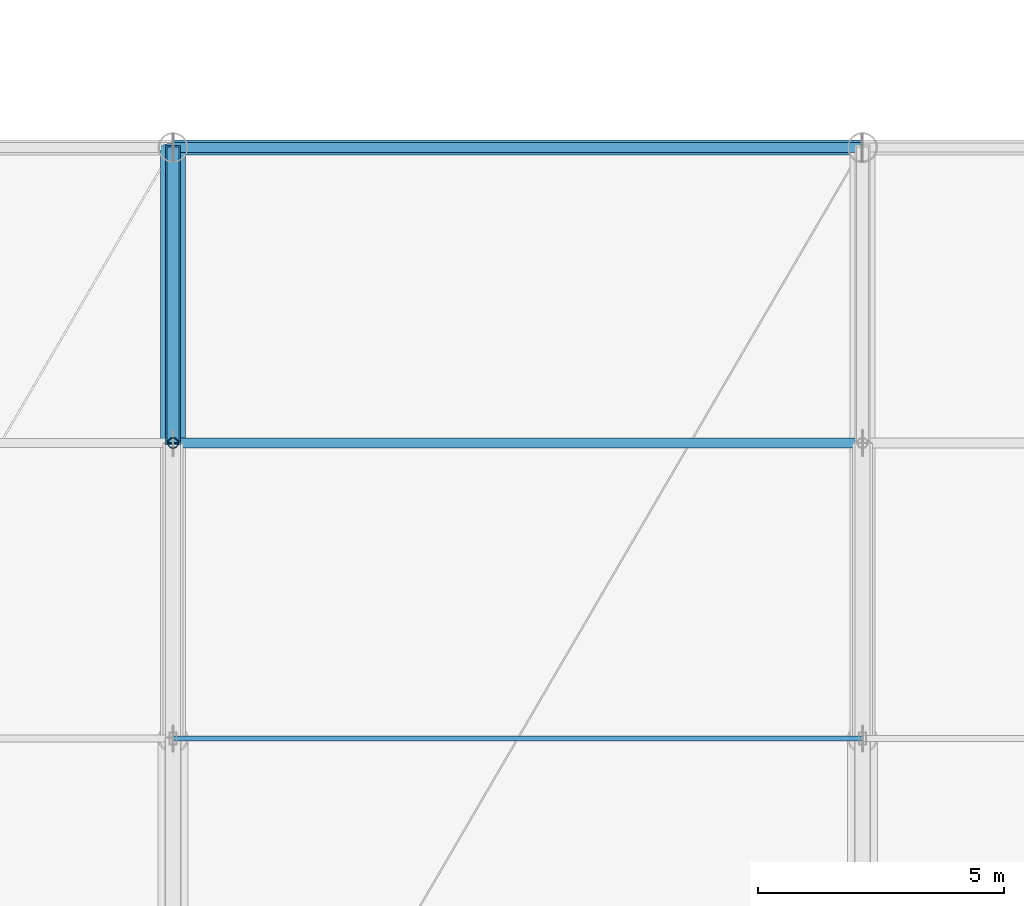
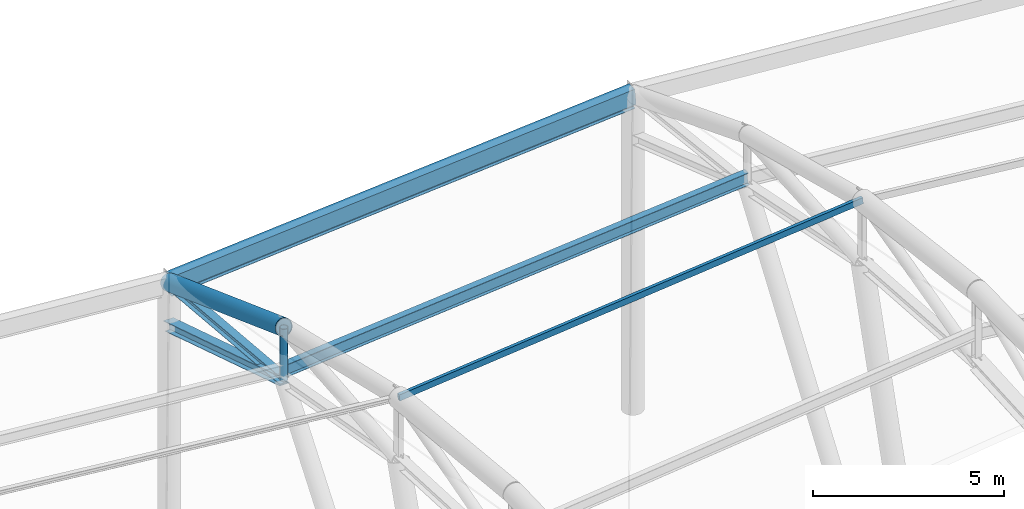
# One storey, part 20 of 90: 7 members, 1 beam.
"""IFC4 building model written with IfcOpenShell, lengths in metres."""

from ifc_helpers import new_model, si_unit, direction, frame, origin, origin_2d, place, context, subcontext, project, spatial, hollow_rectangle, hollow_circle, i_section, extrude, material, material_profile, profile_set, type_object, element, save


model = new_model("IFC4")

# Units and contexts
model_context = context("Model", 3, precision=1e-05, world=origin(), true_north=direction((0.0, 1.0)))
body_context = subcontext(model_context, "Body", "Model", "MODEL_VIEW")
ifc_project = project(units=[si_unit("LENGTHUNIT", "METRE"), si_unit("AREAUNIT", "SQUARE_METRE"), si_unit("VOLUMEUNIT", "CUBIC_METRE"), si_unit("PLANEANGLEUNIT", "RADIAN"), si_unit("MASSUNIT", "GRAM", prefix="KILO")], contexts=[model_context])

# Site, building, storey
site_placement = place(None, origin())
site = spatial("IfcSite", under=ifc_project, at=site_placement, CompositionType="ELEMENT")
building_placement = place(site_placement, origin())
building = spatial("IfcBuilding", under=site, at=building_placement, Name="Linyun Crest Stadium", CompositionType="ELEMENT")
storey_placement = place(building_placement, frame((0.0, 0.0, 21.0)))
storey = spatial("IfcBuildingStorey", under=building, at=storey_placement, Name="L05", CompositionType="ELEMENT", Elevation=21.0)

# Member
ifc_material_1 = material(Name="Steel Q355C", Category="steel")
ifc_material_profile_1 = material_profile(ifc_material_1, hollow_rectangle(XDim=0.10009765625, YDim=0.199951171875, WallThickness=0.008056640625, at=origin_2d()), Name="RHS 200x100x8")
ifc_profile_set_1 = profile_set([ifc_material_profile_1], Name="Steel Q355C")
member_type_1 = type_object("IfcMemberType", Name="AR02", PredefinedType="USERDEFINED", material=ifc_profile_set_1)
member_1_placement = place(storey_placement, frame((-14.0, -61.5, 12.549072265625), z_axis=(0.995024124811, 0.0, 0.099634286493), x_axis=(0.0, 1.0, 0.0)))
element("IfcMember", 1, at=member_1_placement, inside=storey, type_object=member_type_1, Name="Art Nouveau canopy arch rib AR02 V4 574", ObjectType="ARCH RIB", PredefinedType="USERDEFINED", context=body_context, shape_type="SweptSolid", body=[
    extrude(hollow_rectangle(XDim=0.10009765625, YDim=0.199951171875, WallThickness=0.008056640625, at=origin_2d()), origin(), (0.0, 0.0, 1.0), 14.070068359375),
])

# Beam
ifc_material_2 = material(Name="Steel Q420C", Category="steel")
ifc_material_profile_2 = material_profile(ifc_material_2, hollow_rectangle(XDim=0.300048828125, YDim=0.5, WallThickness=0.02001953125, at=origin_2d()), Name="RHS 500x300x20")
ifc_profile_set_2 = profile_set([ifc_material_profile_2], Name="Steel Q420C")
beam_type = type_object("IfcBeamType", Name="HB03", PredefinedType="USERDEFINED", material=ifc_profile_set_2)
beam_placement = place(storey_placement, frame((-14.0, -49.5, 8.947998046875), z_axis=(0.996905179889, 0.0, 0.07861337234), x_axis=(0.0, 1.0, 0.0)))
element("IfcBeam", 2, at=beam_placement, inside=storey, type_object=beam_type, Name="Roof Inner tension ring beam HB03 V4 39", ObjectType="RING BEAM", PredefinedType="USERDEFINED", context=body_context, shape_type="SweptSolid", body=[
    extrude(hollow_rectangle(XDim=0.300048828125, YDim=0.5, WallThickness=0.02001953125, at=origin_2d()), origin(), (0.0, 0.0, 1.0), 14.04345703125),
])

# Members
ifc_material_3 = material(Name="Steel Q355B", Category="steel")
ifc_material_profile_3 = material_profile(ifc_material_3, i_section(OverallWidth=0.199951171875, OverallDepth=0.39990234375, WebThickness=0.008056640625, FlangeThickness=0.012939453125, at=origin_2d()), Name="HN 400x200")
ifc_profile_set_3 = profile_set([ifc_material_profile_3], Name="Steel Q355B")
member_type_2 = type_object("IfcMemberType", Name="PR03", PredefinedType="PURLIN", material=ifc_profile_set_3)
member_2_placement = place(storey_placement, frame((-14.0, -55.5, 9.7890625), z_axis=(0.996025387251, 0.0, 0.089069792582), x_axis=(0.0, 1.0, 0.0)))
element("IfcMember", 3, at=member_2_placement, inside=storey, type_object=member_type_2, Name="Roof canopy purlin PR03 V4 572", PredefinedType="PURLIN", context=body_context, shape_type="SweptSolid", body=[
    extrude(i_section(OverallWidth=0.199951171875, OverallDepth=0.39990234375, WebThickness=0.008056640625, FlangeThickness=0.012939453125, at=origin_2d()), origin(), (0.0, 0.0, 1.0), 14.055908203125),
])
ifc_material_4 = material(Name="Steel Q355B", Category="steel")
ifc_material_profile_4 = material_profile(ifc_material_4, i_section(OverallWidth=0.199951171875, OverallDepth=0.449951171875, WebThickness=0.009033203125, FlangeThickness=0.013916015625, at=origin_2d()), Name="HN 450x200")
ifc_profile_set_4 = profile_set([ifc_material_profile_4], Name="Steel Q355B")
member_type_3 = type_object("IfcMemberType", Name="PR04", PredefinedType="PURLIN", material=ifc_profile_set_4)
member_3_placement = place(storey_placement, frame((-14.0, -49.5, 8.762939453125), z_axis=(0.996905179889, 0.0, 0.07861337234), x_axis=(0.0, 1.0, 0.0)))
element("IfcMember", 4, at=member_3_placement, inside=storey, type_object=member_type_3, Name="Roof canopy purlin PR04 V4 573", PredefinedType="PURLIN", context=body_context, shape_type="SweptSolid", body=[
    extrude(i_section(OverallWidth=0.199951171875, OverallDepth=0.449951171875, WebThickness=0.009033203125, FlangeThickness=0.013916015625, at=origin_2d()), origin(), (0.0, 0.0, 1.0), 14.04345703125),
])
ifc_material_5 = material(Name="Steel Q420C", Category="steel")
ifc_material_profile_5 = material_profile(ifc_material_5, hollow_circle(Radius=0.25390625, WallThickness=0.02490234375, at=origin_2d()), Name="CHS 508x25")
ifc_profile_set_5 = profile_set([ifc_material_profile_5], Name="Steel Q420C")
member_type_4 = type_object("IfcMemberType", Name="TC01", PredefinedType="CHORD", material=ifc_profile_set_5)
member_4_placement = place(storey_placement, frame((-14.0, -55.5, 11.14892578125), z_axis=(0.0, 0.938829388326, -0.344382606436), x_axis=(-1.0, 0.0, 0.0)))
element("IfcMember", 5, at=member_4_placement, inside=storey, type_object=member_type_4, Name="Roof truss top chord TC01 V4 504", PredefinedType="CHORD", context=body_context, shape_type="SweptSolid", body=[
    extrude(hollow_circle(Radius=0.25390625, WallThickness=0.02490234375, at=origin_2d()), origin(), (0.0, 0.0, 1.0), 6.390869140625),
])
ifc_material_6 = material(Name="Steel Q355C", Category="steel")
ifc_material_profile_6 = material_profile(ifc_material_6, i_section(OverallWidth=0.300048828125, OverallDepth=0.300048828125, WebThickness=0.010009765625, FlangeThickness=0.014892578125, at=origin_2d()), Name="HW 300x300")
ifc_profile_set_6 = profile_set([ifc_material_profile_6], Name="Steel Q355C")
member_type_5 = type_object("IfcMemberType", Name="TC03", PredefinedType="CHORD", material=ifc_profile_set_6)
member_5_placement = place(storey_placement, frame((-14.0, -55.5, 9.485107421875), z_axis=(0.0, 0.953836897996, -0.300325110542), x_axis=(-1.0, 0.0, 0.0)))
element("IfcMember", 6, at=member_5_placement, inside=storey, type_object=member_type_5, Name="Roof truss bottom chord TC03 V4 505", PredefinedType="CHORD", context=body_context, shape_type="SweptSolid", body=[
    extrude(i_section(OverallWidth=0.300048828125, OverallDepth=0.300048828125, WebThickness=0.010009765625, FlangeThickness=0.014892578125, at=origin_2d()), origin(), (0.0, 0.0, 1.0), 6.290283203125),
])
ifc_material_7 = material(Name="Steel Q355C", Category="steel")
ifc_material_profile_7 = material_profile(ifc_material_7, i_section(OverallWidth=0.25, OverallDepth=0.25, WebThickness=0.009033203125, FlangeThickness=0.013916015625, at=origin_2d()), Name="HW 250x250")
ifc_profile_set_7 = profile_set([ifc_material_profile_7], Name="Steel Q355C")
member_type_6 = type_object("IfcMemberType", Name="TD04", PredefinedType="BRACE", material=ifc_profile_set_7)
member_6_placement = place(storey_placement, frame((-14.0, -55.5, 9.485107421875), z_axis=(0.0, 0.996017164779, -0.089161692811), x_axis=(-1.0, 0.0, 0.0)))
element("IfcMember", 7, at=member_6_placement, inside=storey, type_object=member_type_6, Name="Roof truss diagonal TD04 V4 506", PredefinedType="BRACE", context=body_context, shape_type="SweptSolid", body=[
    extrude(i_section(OverallWidth=0.25, OverallDepth=0.25, WebThickness=0.009033203125, FlangeThickness=0.013916015625, at=origin_2d()), origin(), (0.0, 0.0, 1.0), 6.02392578125),
])
ifc_material_8 = material(Name="Steel Q355C", Category="steel")
ifc_material_profile_8 = material_profile(ifc_material_8, hollow_circle(Radius=0.109619140625, WallThickness=0.011962890625, at=origin_2d()), Name="CHS 219x12")
ifc_profile_set_8 = profile_set([ifc_material_profile_8], Name="Steel Q355C")
member_type_7 = type_object("IfcMemberType", Name="TV01", PredefinedType="STRUT", material=ifc_profile_set_8)
member_7_placement = place(storey_placement, frame((-14.0, -55.5, 9.485107421875), z_axis=(0.0, 0.0, 1.0), x_axis=(1.0, 0.0, 0.0)))
element("IfcMember", 8, at=member_7_placement, inside=storey, type_object=member_type_7, Name="Roof vertical strut TV01 V4 507", PredefinedType="STRUT", context=body_context, shape_type="SweptSolid", body=[
    extrude(hollow_circle(Radius=0.109619140625, WallThickness=0.011962890625, at=origin_2d()), origin(), (0.0, 0.0, 1.0), 1.663818359375),
])

save(model, "model.ifc")
